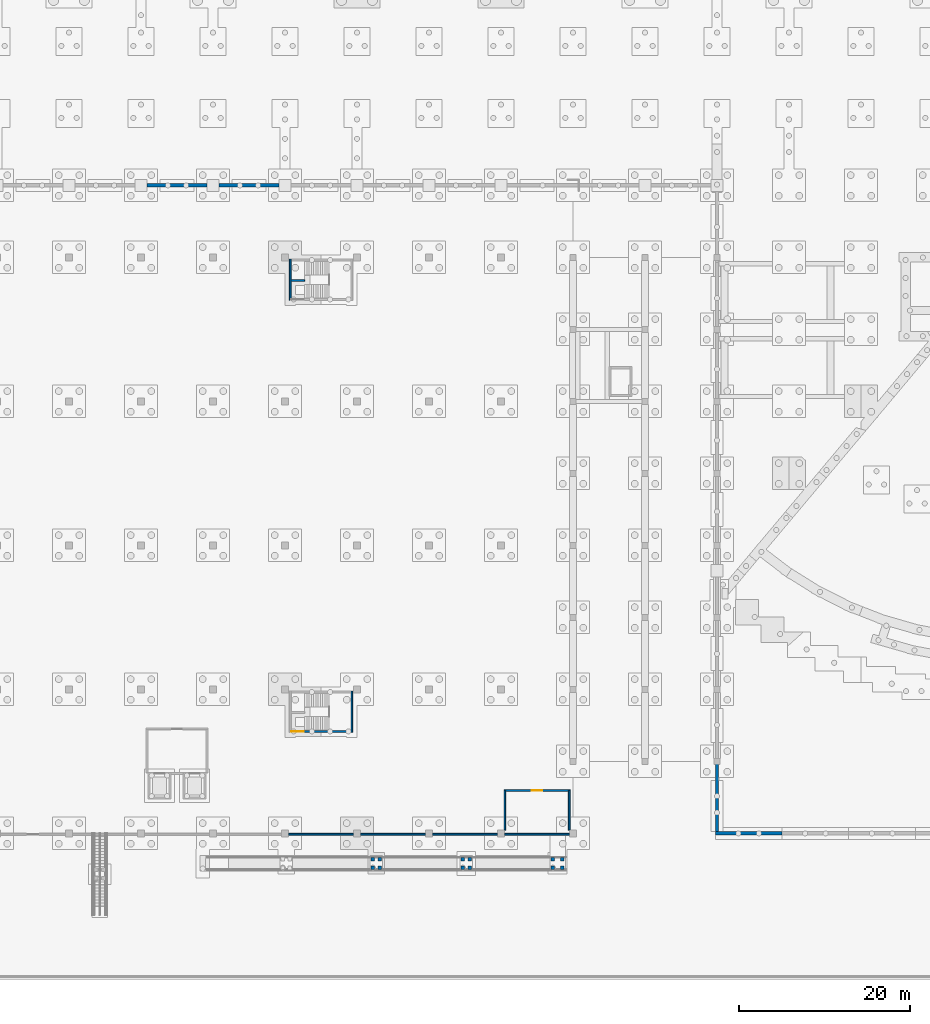
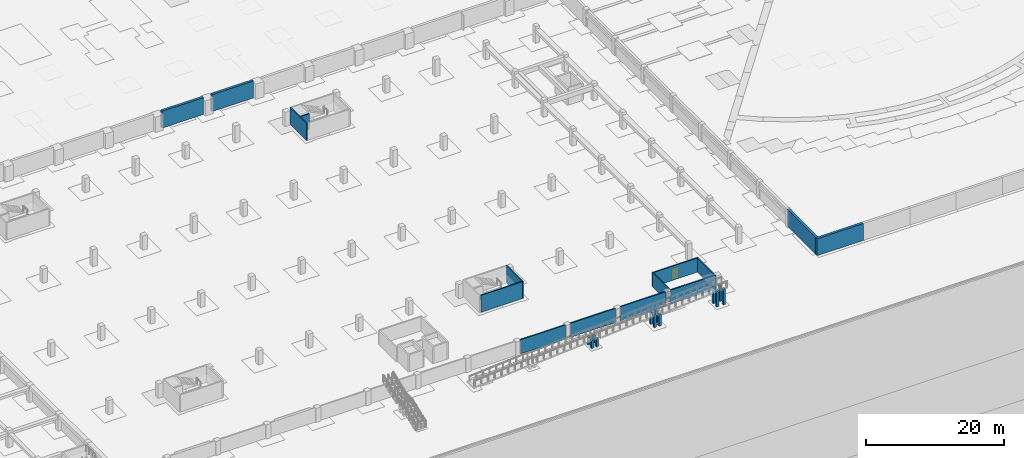
# One storey, part 38 of 67: 27 walls, 2 doors, 2 openings.
"""IFC4 building model written with IfcOpenShell, lengths in metres."""

from ifc_helpers import new_model, si_unit, direction, frame, frame_2d, origin, place, context, subcontext, project, spatial, rectangle, extrude, material, layer, layer_set, type_object, element, fill, save


model = new_model("IFC4")

# Units and contexts
model_context = context("Model", 3, precision=1e-05, world=origin(), true_north=direction((0.0, 1.0)))
body_context = subcontext(model_context, "Body", "Model", "MODEL_VIEW")
ifc_project = project(units=[si_unit("LENGTHUNIT", "METRE"), si_unit("AREAUNIT", "SQUARE_METRE"), si_unit("VOLUMEUNIT", "CUBIC_METRE"), si_unit("PLANEANGLEUNIT", "RADIAN"), si_unit("MASSUNIT", "GRAM", prefix="KILO")], contexts=[model_context])

# Site, building, storey
site_placement = place(None, origin())
site = spatial("IfcSite", under=ifc_project, at=site_placement, CompositionType="ELEMENT")
building_placement = place(site_placement, origin())
building = spatial("IfcBuilding", under=site, at=building_placement, Name="Rain Tree Exposition and Congress Centre", CompositionType="ELEMENT")
storey_placement = place(building_placement, frame((0.0, 0.0, -3.0)))
storey = spatial("IfcBuildingStorey", under=building, at=storey_placement, Name="B1", CompositionType="ELEMENT", Elevation=-3.0)

# Wall
ifc_material_1 = material(Name="Concrete C40/50", Category="concrete")
ifc_layer_1 = layer(ifc_material_1, 0.199951171875)
ifc_layer_set_1 = layer_set([ifc_layer_1], Name="Concrete C40/50")
wall_type_1 = type_object("IfcWallType", Name="Exit stair wall 200", PredefinedType="PARTITIONING", material=ifc_layer_set_1)
wall_1_placement = place(storey_placement, frame((125.39990234375, 11.800048828125, 0.0), z_axis=(0.0, 0.0, 1.0), x_axis=(0.0, 1.0, 0.0)))
element("IfcWall", 1, at=wall_1_placement, inside=storey, type_object=wall_type_1, Name="Exit stair E2 wall east", PredefinedType="SOLIDWALL", context=body_context, shape_type="SweptSolid", body=[
    extrude(rectangle(XDim=4.800048828125, YDim=0.199951171875, at=frame_2d((2.39990234375, 0.0))), origin(), (0.0, 0.0, 1.0), 3.0),
])

# Wall, opening, door
wall_2_placement = place(storey_placement, frame((118.300048828125, 11.89990234375, 0.0), z_axis=(0.0, 0.0, 1.0), x_axis=(1.0, 0.0, 0.0)))
wall_2 = element("IfcWall", 2, at=wall_2_placement, inside=storey, type_object=wall_type_1, Name="Exit stair E2 wall south", PredefinedType="SOLIDWALL", context=body_context, shape_type="SweptSolid", body=[
    extrude(rectangle(XDim=7.0, YDim=0.199951171875, at=frame_2d((3.5, 0.0))), origin(), (0.0, 0.0, 1.0), 3.0),
])
opening_1_placement = place(wall_2_placement, origin())
opening_1 = element("IfcOpeningElement", 3, at=opening_1_placement, cuts=wall_2, Name="Opening DS131", PredefinedType="OPENING", context=body_context, shape_type="SweptSolid", body=[
    extrude(rectangle(XDim=1.5, YDim=2.10009765625, at=frame_2d((0.75, 1.050048828125))), frame((0.0, 0.10009765625, 0.0), z_axis=(0.0, -1.0, 0.0), x_axis=(1.0, 0.0, 0.0)), (0.0, 0.0, 1.0), 0.199951171875),
])
ifc_material_2 = material(Name="Powder-coated steel", Category="steel")
door_type_1 = type_object("IfcDoorType", Name="Exit stair door 1500x2100", OperationType="NOTDEFINED", PredefinedType="DOOR", material=ifc_material_2)
door_1_placement = place(opening_1_placement, origin())
door_1 = element("IfcDoor", 4, at=door_1_placement, inside=storey, type_object=door_type_1, Name="Exit stair E2 door B1", OperationType="SINGLE_SWING_LEFT", OverallHeight=2.10009765625, OverallWidth=1.5, PredefinedType="DOOR", context=body_context, shape_type="SweptSolid", body=[
    extrude(rectangle(XDim=1.5, YDim=2.10009765625, at=frame_2d((0.75, 1.050048828125))), frame((0.0, 0.02490234375, 0.0), z_axis=(0.0, -1.0, 0.0), x_axis=(1.0, 0.0, 0.0)), (0.0, 0.0, 1.0), 0.050048828125),
])
fill(opening_1, door_1)

# Walls
wall_3_placement = place(storey_placement, frame((118.199951171875, 62.199951171875, 0.0), z_axis=(0.0, 0.0, 1.0), x_axis=(0.0, 1.0, 0.0)))
element("IfcWall", 5, at=wall_3_placement, inside=storey, type_object=wall_type_1, Name="Exit stair E4 wall west", PredefinedType="SOLIDWALL", context=body_context, shape_type="SweptSolid", body=[
    extrude(rectangle(XDim=4.800048828125, YDim=0.199951171875, at=frame_2d((2.39990234375, 0.0))), origin(), (0.0, 0.0, 1.0), 3.0),
])
wall_4_placement = place(storey_placement, frame((118.300048828125, 64.5, 0.0), z_axis=(0.0, 0.0, 1.0), x_axis=(1.0, 0.0, 0.0)))
element("IfcWall", 6, at=wall_4_placement, inside=storey, type_object=wall_type_1, Name="Exit stair E4 landing support", PredefinedType="SOLIDWALL", context=body_context, shape_type="SweptSolid", body=[
    extrude(rectangle(XDim=1.599853515625, YDim=0.199951171875, at=frame_2d((0.7998046875, 0.0))), origin(), (0.0, 0.0, 1.0), 2.800048828125),
])
ifc_material_3 = material(Name="Precast concrete C40/50", Category="concrete")
ifc_layer_2 = layer(ifc_material_3, 0.199951171875)
ifc_layer_set_2 = layer_set([ifc_layer_2], Name="Precast concrete C40/50")
wall_type_2 = type_object("IfcWallType", Name="Louvred precast panel 200", PredefinedType="SOLIDWALL", material=ifc_layer_set_2)
for number, where, z_axis, x_axis, name in (
    (7, (118.0, -0.10009765625, 0.0), (0.0, 0.0, 1.0), (1.0, 0.0, 0.0), "Car park louvre panel 9"),
    (8, (126.39990234375, -0.10009765625, 0.0), (0.0, 0.0, 1.0), (1.0, 0.0, 0.0), "Car park louvre panel 10"),
):
    element("IfcWall", number, at=place(storey_placement, frame(where, z_axis=z_axis, x_axis=x_axis)), inside=storey, type_object=wall_type_2, Name=name, PredefinedType="SOLIDWALL", context=body_context, shape_type="SweptSolid", body=[
        extrude(rectangle(XDim=7.60009765625, YDim=0.199951171875, at=frame_2d((3.800048828125, 0.0))), origin(), (0.0, 0.0, 1.0), 2.5),
    ])
wall_5_placement = place(storey_placement, frame((134.800048828125, -0.10009765625, 0.0), z_axis=(0.0, 0.0, 1.0), x_axis=(1.0, 0.0, 0.0)))
element("IfcWall", 9, at=wall_5_placement, inside=storey, type_object=wall_type_2, Name="Car park louvre panel 11", PredefinedType="SOLIDWALL", context=body_context, shape_type="SweptSolid", body=[
    extrude(rectangle(XDim=7.599853515625, YDim=0.199951171875, at=frame_2d((3.7998046875, 0.0))), origin(), (0.0, 0.0, 1.0), 2.5),
])
wall_6_placement = place(storey_placement, frame((143.199951171875, -0.10009765625, 0.0), z_axis=(0.0, 0.0, 1.0), x_axis=(1.0, 0.0, 0.0)))
element("IfcWall", 10, at=wall_6_placement, inside=storey, type_object=wall_type_2, Name="Car park louvre panel 12", PredefinedType="SOLIDWALL", context=body_context, shape_type="SweptSolid", body=[
    extrude(rectangle(XDim=7.60009765625, YDim=0.199951171875, at=frame_2d((3.800048828125, 0.0))), origin(), (0.0, 0.0, 1.0), 2.5),
])
ifc_material_4 = material(Name="Concrete C40/50", Category="concrete")
ifc_layer_3 = layer(ifc_material_4, 0.199951171875)
ifc_layer_set_3 = layer_set([ifc_layer_3], Name="Concrete C40/50")
wall_type_3 = type_object("IfcWallType", Name="Plant room wall 200", PredefinedType="PARTITIONING", material=ifc_layer_set_3)
for number, where, z_axis, x_axis, name in (
    (11, (143.25, 0.39990234375, 0.0), (0.0, 0.0, 1.0), (0.0, 1.0, 0.0), "Plant room wall west"),
    (12, (150.75, 0.39990234375, 0.0), (0.0, 0.0, 1.0), (0.0, 1.0, 0.0), "Plant room wall east"),
):
    element("IfcWall", number, at=place(storey_placement, frame(where, z_axis=z_axis, x_axis=x_axis)), inside=storey, type_object=wall_type_3, Name=name, PredefinedType="PARTITIONING", context=body_context, shape_type="SweptSolid", body=[
        extrude(rectangle(XDim=4.60009765625, YDim=0.199951171875, at=frame_2d((2.300048828125, 0.0))), origin(), (0.0, 0.0, 1.0), 2.5),
    ])

# Wall, opening, door
wall_7_placement = place(storey_placement, frame((143.14990234375, 5.0, 0.0), z_axis=(0.0, 0.0, 1.0), x_axis=(1.0, 0.0, 0.0)))
wall_7 = element("IfcWall", 13, at=wall_7_placement, inside=storey, type_object=wall_type_3, Name="Plant room wall north", PredefinedType="PARTITIONING", context=body_context, shape_type="SweptSolid", body=[
    extrude(rectangle(XDim=7.7001953125, YDim=0.199951171875, at=frame_2d((3.85009765625, 0.0))), origin(), (0.0, 0.0, 1.0), 2.5),
])
opening_2_placement = place(wall_7_placement, frame((3.25, 0.0, 0.0)))
opening_2 = element("IfcOpeningElement", 14, at=opening_2_placement, cuts=wall_7, Name="Opening DS163", PredefinedType="OPENING", context=body_context, shape_type="SweptSolid", body=[
    extrude(rectangle(XDim=1.199951171875, YDim=2.10009765625, at=frame_2d((0.60009765625, 1.050048828125))), frame((0.0, 0.10009765625, 0.0), z_axis=(0.0, -1.0, 0.0), x_axis=(1.0, 0.0, 0.0)), (0.0, 0.0, 1.0), 0.199951171875),
])
ifc_material_5 = material(Name="Powder-coated steel", Category="steel")
door_type_2 = type_object("IfcDoorType", Name="Plant room door 1200x2100", OperationType="NOTDEFINED", PredefinedType="DOOR", material=ifc_material_5)
door_2_placement = place(opening_2_placement, origin())
door_2 = element("IfcDoor", 15, at=door_2_placement, inside=storey, type_object=door_type_2, Name="Plant room door", OperationType="SINGLE_SWING_LEFT", OverallHeight=2.10009765625, OverallWidth=1.199951171875, PredefinedType="DOOR", context=body_context, shape_type="SweptSolid", body=[
    extrude(rectangle(XDim=1.199951171875, YDim=2.10009765625, at=frame_2d((0.60009765625, 1.050048828125))), frame((0.0, 0.02490234375, 0.0), z_axis=(0.0, -1.0, 0.0), x_axis=(1.0, 0.0, 0.0)), (0.0, 0.0, 1.0), 0.050048828125),
])
fill(opening_2, door_2)

# Walls
ifc_material_6 = material(Name="Concrete C40/50", Category="concrete")
ifc_layer_4 = layer(ifc_material_6, 0.39990234375)
ifc_layer_set_4 = layer_set([ifc_layer_4], Name="Concrete C40/50")
wall_type_4 = type_object("IfcWallType", Name="Precast retaining wall 400", PredefinedType="SOLIDWALL", material=ifc_layer_set_4)
wall_8_placement = place(storey_placement, frame((168.0, 0.199951171875, 0.0), z_axis=(0.0, 0.0, 1.0), x_axis=(0.0, 1.0, 0.0)))
element("IfcWall", 16, at=wall_8_placement, inside=storey, type_object=wall_type_4, Name="Retaining wall 001", PredefinedType="SOLIDWALL", context=body_context, shape_type="SweptSolid", body=[
    extrude(rectangle(XDim=8.300048828125, YDim=0.39990234375, at=frame_2d((4.14990234375, 0.0))), origin(), (0.0, 0.0, 1.0), 3.0),
])
for number, where, z_axis, x_axis, name in (
    (17, (116.89990234375, 75.60009765625, 0.0), (0.0, 0.0, 1.0), (-1.0, 0.0, 0.0), "Retaining wall 016"),
    (18, (108.5, 75.60009765625, 0.0), (0.0, 0.0, 1.0), (-1.0, 0.0, 0.0), "Retaining wall 017"),
):
    element("IfcWall", number, at=place(storey_placement, frame(where, z_axis=z_axis, x_axis=x_axis)), inside=storey, type_object=wall_type_4, Name=name, PredefinedType="SOLIDWALL", context=body_context, shape_type="SweptSolid", body=[
        extrude(rectangle(XDim=7.0, YDim=0.39990234375, at=frame_2d((3.5, 0.0))), origin(), (0.0, 0.0, 1.0), 3.0),
    ])
wall_9_placement = place(storey_placement, frame((175.584716796875, 0.0, 0.0), z_axis=(0.0, 0.0, 1.0), x_axis=(-1.0, 0.0, 0.0)))
element("IfcWall", 19, at=wall_9_placement, inside=storey, type_object=wall_type_4, Name="Retaining wall 119", PredefinedType="SOLIDWALL", context=body_context, shape_type="SweptSolid", body=[
    extrude(rectangle(XDim=7.78466796875, YDim=0.39990234375, at=frame_2d((3.892333984375, 0.0))), origin(), (0.0, 0.0, 1.0), 3.0),
])
ifc_material_7 = material(Name="Concrete C40/50", Category="concrete")
ifc_layer_5 = layer(ifc_material_7, 0.39990234375)
ifc_layer_set_5 = layer_set([ifc_layer_5], Name="Concrete C40/50")
wall_type_5 = type_object("IfcWallType", Name="Ramp support pier 400", PredefinedType="SOLIDWALL", material=ifc_layer_set_5)
for number, where, z_axis, x_axis, name in (
    (20, (127.85009765625, -4.199951171875, 0.0), (0.0, 0.0, 1.0), (0.0, 1.0, 0.0), "Ramp pier 4.1"),
    (21, (127.85009765625, -3.199951171875, 0.0), (0.0, 0.0, 1.0), (0.0, 1.0, 0.0), "Ramp pier 4.2"),
    (22, (128.64990234375, -4.199951171875, 0.0), (0.0, 0.0, 1.0), (0.0, 1.0, 0.0), "Ramp pier 4.3"),
    (23, (128.64990234375, -3.199951171875, 0.0), (0.0, 0.0, 1.0), (0.0, 1.0, 0.0), "Ramp pier 4.4"),
):
    element("IfcWall", number, at=place(storey_placement, frame(where, z_axis=z_axis, x_axis=x_axis)), inside=storey, type_object=wall_type_5, Name=name, PredefinedType="SOLIDWALL", context=body_context, shape_type="SweptSolid", body=[
        extrude(rectangle(XDim=0.39990234375, YDim=0.39990234375, at=frame_2d((0.199951171875, 0.0))), origin(), (0.0, 0.0, 1.0), 1.3798828125),
    ])
for number, where, z_axis, x_axis, name in (
    (24, (138.35009765625, -4.199951171875, 0.0), (0.0, 0.0, 1.0), (0.0, 1.0, 0.0), "Ramp pier 6.1"),
    (25, (138.35009765625, -3.199951171875, 0.0), (0.0, 0.0, 1.0), (0.0, 1.0, 0.0), "Ramp pier 6.2"),
    (26, (139.14990234375, -4.199951171875, 0.0), (0.0, 0.0, 1.0), (0.0, 1.0, 0.0), "Ramp pier 6.3"),
    (27, (139.14990234375, -3.199951171875, 0.0), (0.0, 0.0, 1.0), (0.0, 1.0, 0.0), "Ramp pier 6.4"),
):
    element("IfcWall", number, at=place(storey_placement, frame(where, z_axis=z_axis, x_axis=x_axis)), inside=storey, type_object=wall_type_5, Name=name, PredefinedType="SOLIDWALL", context=body_context, shape_type="SweptSolid", body=[
        extrude(rectangle(XDim=0.39990234375, YDim=0.39990234375, at=frame_2d((0.199951171875, 0.0))), origin(), (0.0, 0.0, 1.0), 2.06494140625),
    ])
for number, where, z_axis, x_axis, name in (
    (28, (148.85009765625, -4.199951171875, 0.0), (0.0, 0.0, 1.0), (0.0, 1.0, 0.0), "Ramp pier 8.1"),
    (29, (148.85009765625, -3.199951171875, 0.0), (0.0, 0.0, 1.0), (0.0, 1.0, 0.0), "Ramp pier 8.2"),
    (30, (149.949951171875, -4.199951171875, 0.0), (0.0, 0.0, 1.0), (0.0, 1.0, 0.0), "Ramp pier 8.3"),
    (31, (149.949951171875, -3.199951171875, 0.0), (0.0, 0.0, 1.0), (0.0, 1.0, 0.0), "Ramp pier 8.4"),
):
    element("IfcWall", number, at=place(storey_placement, frame(where, z_axis=z_axis, x_axis=x_axis)), inside=storey, type_object=wall_type_5, Name=name, PredefinedType="SOLIDWALL", context=body_context, shape_type="SweptSolid", body=[
        extrude(rectangle(XDim=0.39990234375, YDim=0.39990234375, at=frame_2d((0.199951171875, 0.0))), origin(), (0.0, 0.0, 1.0), 2.75),
    ])

save(model, "model.ifc")
